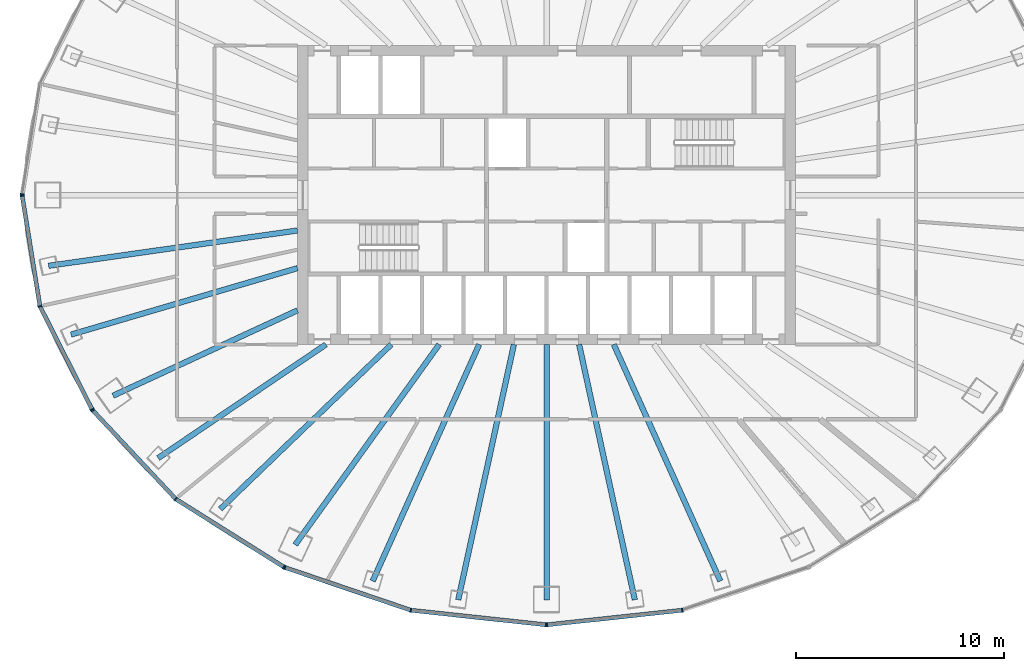
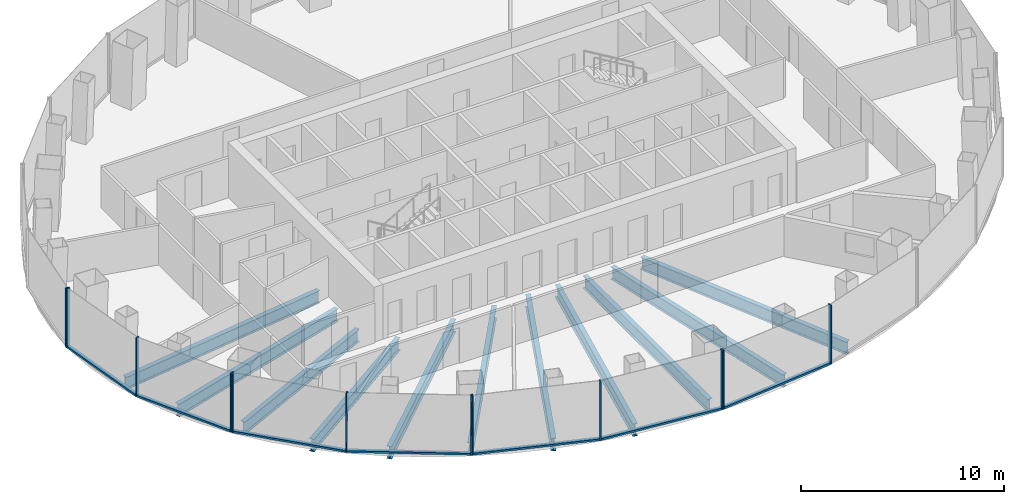
# One storey, part 2 of 11: 19 members, 11 beams, 5 elements without a shape of their own.
"""IFC4 building model written with IfcOpenShell, lengths in metres."""

from ifc_helpers import new_model, si_unit, direction, frame, origin, origin_2d, place, context, subcontext, project, spatial, rectangle, i_section, extrude, material, layer, layer_set, material_profile, profile_set, type_object, element, aggregate, save


model = new_model("IFC4")

# Units and contexts
model_context = context("Model", 3, precision=1e-05, world=origin(), true_north=direction((0.0, 1.0)))
body_context = subcontext(model_context, "Body", "Model", "MODEL_VIEW")
ifc_project = project(units=[si_unit("LENGTHUNIT", "METRE"), si_unit("AREAUNIT", "SQUARE_METRE"), si_unit("VOLUMEUNIT", "CUBIC_METRE"), si_unit("PLANEANGLEUNIT", "RADIAN"), si_unit("MASSUNIT", "GRAM", prefix="KILO")], contexts=[model_context])

# Site, building, storey
site_placement = place(None, origin())
site = spatial("IfcSite", under=ifc_project, at=site_placement, CompositionType="ELEMENT")
building_placement = place(site_placement, origin())
building = spatial("IfcBuilding", under=site, at=building_placement, Name="Siaravel Broadcast Tower", CompositionType="ELEMENT")
storey_placement = place(building_placement, frame((0.0, 0.0, 126.699951171875)))
storey = spatial("IfcBuildingStorey", under=building, at=storey_placement, Name="L30", CompositionType="ELEMENT", Elevation=126.699951171875)

# Beams
ifc_material_1 = material(Name="Steel S355", Category="steel")
ifc_material_profile_1 = material_profile(ifc_material_1, i_section(OverallWidth=0.26513671875, OverallDepth=0.75390625, WebThickness=0.0126953125, FlangeThickness=0.017578125, FilletRadius=0.0166015625, at=origin_2d()))
ifc_profile_set_1 = profile_set([ifc_material_profile_1], Name="Steel S355")
beam_type = type_object("IfcBeamType", Name="BM-UB 762x267x147", PredefinedType="BEAM", material=ifc_profile_set_1)
beam_1_placement = place(storey_placement, frame((-23.992919921875, -3.409912109375, -0.52685546875), z_axis=(0.990052421, 0.140698979, 0.0), x_axis=(-0.140698979, 0.990052421, 0.0)))
element("IfcBeam", 1, at=beam_1_placement, inside=storey, type_object=beam_type, Name="Radial beam RB20", PredefinedType="BEAM", context=body_context, shape_type="SweptSolid", body=[
    extrude(i_section(OverallWidth=0.26513671875, OverallDepth=0.75390625, WebThickness=0.0126953125, FlangeThickness=0.017578125, FilletRadius=0.0166015625, at=origin_2d()), origin(), (0.0, 0.0, 1.0), 12.113525390625),
])
beam_2_placement = place(storey_placement, frame((-22.908935546875, -6.722900390625, -0.52685546875), z_axis=(0.959534251, 0.28159194, 0.0), x_axis=(-0.28159194, 0.959534251, 0.0)))
element("IfcBeam", 2, at=beam_2_placement, inside=storey, type_object=beam_type, Name="Radial beam RB21", PredefinedType="BEAM", context=body_context, shape_type="SweptSolid", body=[
    extrude(i_section(OverallWidth=0.26513671875, OverallDepth=0.75390625, WebThickness=0.0126953125, FlangeThickness=0.017578125, FilletRadius=0.0166015625, at=origin_2d()), origin(), (0.0, 0.0, 1.0), 11.368896484375),
])
beam_3_placement = place(storey_placement, frame((-20.8876953125, -9.66943359375, -0.52685546875), z_axis=(0.907483098, 0.420088594, 0.0), x_axis=(-0.420088594, 0.907483098, 0.0)))
element("IfcBeam", 3, at=beam_3_placement, inside=storey, type_object=beam_type, Name="Radial beam RB22", PredefinedType="BEAM", context=body_context, shape_type="SweptSolid", body=[
    extrude(i_section(OverallWidth=0.26513671875, OverallDepth=0.75390625, WebThickness=0.0126953125, FlangeThickness=0.017578125, FilletRadius=0.0166015625, at=origin_2d()), origin(), (0.0, 0.0, 1.0), 9.793701171875),
])
beam_4_placement = place(storey_placement, frame((-18.712646484375, -12.673095703125, -0.52685546875), z_axis=(0.827987622, 0.560746375, 0.0), x_axis=(-0.560746375, 0.827987622, 0.0)))
element("IfcBeam", 4, at=beam_4_placement, inside=storey, type_object=beam_type, Name="Radial beam RB23", PredefinedType="BEAM", context=body_context, shape_type="SweptSolid", body=[
    extrude(i_section(OverallWidth=0.26513671875, OverallDepth=0.75390625, WebThickness=0.0126953125, FlangeThickness=0.017578125, FilletRadius=0.0166015625, at=origin_2d()), origin(), (0.0, 0.0, 1.0), 9.760498046875),
])
beam_5_placement = place(storey_placement, frame((-15.717529296875, -15.126220703125, -0.52685546875), z_axis=(0.720528871, 0.693424939, 0.0), x_axis=(-0.693424939, 0.720528871, 0.0)))
element("IfcBeam", 5, at=beam_5_placement, inside=storey, type_object=beam_type, Name="Radial beam RB24", PredefinedType="BEAM", context=body_context, shape_type="SweptSolid", body=[
    extrude(i_section(OverallWidth=0.26513671875, OverallDepth=0.75390625, WebThickness=0.0126953125, FlangeThickness=0.017578125, FilletRadius=0.0166015625, at=origin_2d()), origin(), (0.0, 0.0, 1.0), 11.4306640625),
])
beam_6_placement = place(storey_placement, frame((-12.1083984375, -16.851318359375, -0.52685546875), z_axis=(0.583519214, 0.812099333, 0.0), x_axis=(-0.812099333, 0.583519214, 0.0)))
element("IfcBeam", 6, at=beam_6_placement, inside=storey, type_object=beam_type, Name="Radial beam RB25", PredefinedType="BEAM", context=body_context, shape_type="SweptSolid", body=[
    extrude(i_section(OverallWidth=0.26513671875, OverallDepth=0.75390625, WebThickness=0.0126953125, FlangeThickness=0.017578125, FilletRadius=0.0166015625, at=origin_2d()), origin(), (0.0, 0.0, 1.0), 11.884521484375),
])
beam_7_placement = place(storey_placement, frame((-8.375732421875, -18.59716796875, -0.52685546875), z_axis=(0.410651337, 0.911792454, 0.0), x_axis=(-0.911792454, 0.410651337, 0.0)))
element("IfcBeam", 7, at=beam_7_placement, inside=storey, type_object=beam_type, Name="Radial beam RB26", PredefinedType="BEAM", context=body_context, shape_type="SweptSolid", body=[
    extrude(i_section(OverallWidth=0.26513671875, OverallDepth=0.75390625, WebThickness=0.0126953125, FlangeThickness=0.017578125, FilletRadius=0.0166015625, at=origin_2d()), origin(), (0.0, 0.0, 1.0), 12.499755859375),
])
beam_8_placement = place(storey_placement, frame((-4.254150390625, -19.501708984375, -0.52685546875), z_axis=(0.213134769, 0.97702281, 0.0), x_axis=(-0.97702281, 0.213134769, 0.0)))
element("IfcBeam", 8, at=beam_8_placement, inside=storey, type_object=beam_type, Name="Radial beam RB27", PredefinedType="BEAM", context=body_context, shape_type="SweptSolid", body=[
    extrude(i_section(OverallWidth=0.26513671875, OverallDepth=0.75390625, WebThickness=0.0126953125, FlangeThickness=0.017578125, FilletRadius=0.0166015625, at=origin_2d()), origin(), (0.0, 0.0, 1.0), 12.591064453125),
])
beam_9_placement = place(storey_placement, frame((0.0, -19.506591796875, -0.52685546875), z_axis=(0.0, 1.0, 0.0), x_axis=(-1.0, 0.0, 0.0)))
element("IfcBeam", 9, at=beam_9_placement, inside=storey, type_object=beam_type, Name="Radial beam RB28", PredefinedType="BEAM", context=body_context, shape_type="SweptSolid", body=[
    extrude(i_section(OverallWidth=0.26513671875, OverallDepth=0.75390625, WebThickness=0.0126953125, FlangeThickness=0.017578125, FilletRadius=0.0166015625, at=origin_2d()), origin(), (0.0, 0.0, 1.0), 12.306640625),
])
beam_10_placement = place(storey_placement, frame((4.254150390625, -19.501708984375, -0.52685546875), z_axis=(-0.213134769, 0.97702281, 0.0), x_axis=(-0.97702281, -0.213134769, 0.0)))
element("IfcBeam", 10, at=beam_10_placement, inside=storey, type_object=beam_type, Name="Radial beam RB29", PredefinedType="BEAM", context=body_context, shape_type="SweptSolid", body=[
    extrude(i_section(OverallWidth=0.26513671875, OverallDepth=0.75390625, WebThickness=0.0126953125, FlangeThickness=0.017578125, FilletRadius=0.0166015625, at=origin_2d()), origin(), (0.0, 0.0, 1.0), 12.591064453125),
])
beam_11_placement = place(storey_placement, frame((8.375732421875, -18.59716796875, -0.52685546875), z_axis=(-0.410651337, 0.911792454, 0.0), x_axis=(-0.911792454, -0.410651337, 0.0)))
element("IfcBeam", 11, at=beam_11_placement, inside=storey, type_object=beam_type, Name="Radial beam RB30", PredefinedType="BEAM", context=body_context, shape_type="SweptSolid", body=[
    extrude(i_section(OverallWidth=0.26513671875, OverallDepth=0.75390625, WebThickness=0.0126953125, FlangeThickness=0.017578125, FilletRadius=0.0166015625, at=origin_2d()), origin(), (0.0, 0.0, 1.0), 12.499755859375),
])

# Curtain wall, member
ifc_material_2 = material(Name="Aluminium 6063-T6", Category="aluminium")
ifc_layer = layer(ifc_material_2, 0.199951171875)
ifc_layer_set = layer_set([ifc_layer], Name="Aluminium 6063-T6")
curtain_wall_type = type_object("IfcCurtainWallType", Name="Unitised curtain wall, zone 2", PredefinedType="NOTDEFINED", material=ifc_layer_set)
curtain_wall_1_placement = place(storey_placement, origin())
curtain_wall_1 = element("IfcCurtainWall", 12, at=curtain_wall_1_placement, inside=storey, type_object=curtain_wall_type, Name="L30 Unitised curtain wall, zone 2 06", PredefinedType="NOTDEFINED")
ifc_material_profile_2 = material_profile(ifc_material_2, rectangle(XDim=0.199951171875, YDim=0.06494140625, at=origin_2d()))
ifc_profile_set_2 = profile_set([ifc_material_profile_2], Name="Aluminium 6063-T6")
member_type_1 = type_object("IfcMemberType", Name="CW-Z2 mullion", PredefinedType="MULLION", material=ifc_profile_set_2)
member_1_placement = place(storey_placement, frame((-25.265869140625, 0.031982421875, 0.0), z_axis=(0.0, 0.0, 1.0), x_axis=(0.987329163, -0.158685611, 0.0)))
member_1 = element("IfcMember", 13, at=member_1_placement, type_object=member_type_1, Name="CW-Z2 mullion 3", PredefinedType="MULLION", context=body_context, shape_type="SweptSolid", body=[
    extrude(rectangle(XDim=0.199951171875, YDim=0.06494140625, at=origin_2d()), origin(), (0.0, 0.0, 1.0), 3.550048828125),
])
aggregate(curtain_wall_1, [member_1])

# Curtain wall, members
curtain_wall_2_placement = place(storey_placement, origin())
curtain_wall_2 = element("IfcCurtainWall", 14, at=curtain_wall_2_placement, inside=storey, type_object=curtain_wall_type, Name="L30 Unitised curtain wall, zone 2 07", PredefinedType="NOTDEFINED")
member_2_placement = place(storey_placement, frame((-25.265869140625, -0.031982421875, 0.0), z_axis=(0.0, 0.0, 1.0), x_axis=(0.987329163, 0.158685611, 0.0)))
member_2 = element("IfcMember", 15, at=member_2_placement, type_object=member_type_1, Name="CW-Z2 mullion 1", PredefinedType="MULLION", context=body_context, shape_type="SweptSolid", body=[
    extrude(rectangle(XDim=0.199951171875, YDim=0.06494140625, at=origin_2d()), origin(), (0.0, 0.0, 1.0), 3.550048828125),
])
member_3_placement = place(storey_placement, frame((-24.4091796875, -5.362548828125, 0.0), z_axis=(0.0, 0.0, 1.0), x_axis=(0.951177162, 0.308645439, 0.0)))
member_3 = element("IfcMember", 16, at=member_3_placement, type_object=member_type_1, Name="CW-Z2 mullion 2", PredefinedType="MULLION", context=body_context, shape_type="SweptSolid", body=[
    extrude(rectangle(XDim=0.199951171875, YDim=0.06494140625, at=origin_2d()), origin(), (0.0, 0.0, 1.0), 3.550048828125),
])
member_4_placement = place(storey_placement, frame((-21.897705078125, -10.329345703125, 0.0), z_axis=(0.0, 0.0, 1.0), x_axis=(0.892391979, 0.451261073, 0.0)))
member_4 = element("IfcMember", 17, at=member_4_placement, type_object=member_type_1, Name="CW-Z2 mullion 3", PredefinedType="MULLION", context=body_context, shape_type="SweptSolid", body=[
    extrude(rectangle(XDim=0.199951171875, YDim=0.06494140625, at=origin_2d()), origin(), (0.0, 0.0, 1.0), 3.550048828125),
])

curtain_wall_3_placement = place(storey_placement, origin())
curtain_wall_3 = element("IfcCurtainWall", 18, at=curtain_wall_3_placement, inside=storey, type_object=curtain_wall_type, Name="L30 Unitised curtain wall, zone 2 08", PredefinedType="NOTDEFINED")
member_5_placement = place(storey_placement, frame((-21.86083984375, -10.382080078125, 0.0), z_axis=(0.0, 0.0, 1.0), x_axis=(0.729805105, 0.683655256, 0.0)))
member_5 = element("IfcMember", 19, at=member_5_placement, type_object=member_type_1, Name="CW-Z2 mullion 1", PredefinedType="MULLION", context=body_context, shape_type="SweptSolid", body=[
    extrude(rectangle(XDim=0.199951171875, YDim=0.06494140625, at=origin_2d()), origin(), (0.0, 0.0, 1.0), 3.550048828125),
])
member_6_placement = place(storey_placement, frame((-17.86572265625, -14.646728515625, 0.0), z_axis=(0.0, 0.0, 1.0), x_axis=(0.636218518, 0.771508909, 0.0)))
member_6 = element("IfcMember", 20, at=member_6_placement, type_object=member_type_1, Name="CW-Z2 mullion 2", PredefinedType="MULLION", context=body_context, shape_type="SweptSolid", body=[
    extrude(rectangle(XDim=0.199951171875, YDim=0.06494140625, at=origin_2d()), origin(), (0.0, 0.0, 1.0), 3.550048828125),
])
member_7_placement = place(storey_placement, frame((-12.659423828125, -17.9189453125, 0.0), z_axis=(0.0, 0.0, 1.0), x_axis=(0.532149141, 0.846650632, 0.0)))
member_7 = element("IfcMember", 21, at=member_7_placement, type_object=member_type_1, Name="CW-Z2 mullion 3", PredefinedType="MULLION", context=body_context, shape_type="SweptSolid", body=[
    extrude(rectangle(XDim=0.199951171875, YDim=0.06494140625, at=origin_2d()), origin(), (0.0, 0.0, 1.0), 3.550048828125),
])

curtain_wall_4_placement = place(storey_placement, origin())
curtain_wall_4 = element("IfcCurtainWall", 22, at=curtain_wall_4_placement, inside=storey, type_object=curtain_wall_type, Name="L30 Unitised curtain wall, zone 2 09", PredefinedType="NOTDEFINED")
member_8_placement = place(storey_placement, frame((-12.60107421875, -17.94677734375, 0.0), z_axis=(0.0, 0.0, 1.0), x_axis=(0.321300596, 0.946977258, 0.0)))
member_8 = element("IfcMember", 23, at=member_8_placement, type_object=member_type_1, Name="CW-Z2 mullion 1", PredefinedType="MULLION", context=body_context, shape_type="SweptSolid", body=[
    extrude(rectangle(XDim=0.199951171875, YDim=0.06494140625, at=origin_2d()), origin(), (0.0, 0.0, 1.0), 3.550048828125),
])
member_9_placement = place(storey_placement, frame((-6.538330078125, -20.00390625, 0.0), z_axis=(0.0, 0.0, 1.0), x_axis=(0.215558052, 0.976491027, 0.0)))
member_9 = element("IfcMember", 24, at=member_9_placement, type_object=member_type_1, Name="CW-Z2 mullion 2", PredefinedType="MULLION", context=body_context, shape_type="SweptSolid", body=[
    extrude(rectangle(XDim=0.199951171875, YDim=0.06494140625, at=origin_2d()), origin(), (0.0, 0.0, 1.0), 3.550048828125),
])
member_10_placement = place(storey_placement, frame((-0.0322265625, -20.705322265625, 0.0), z_axis=(0.0, 0.0, 1.0), x_axis=(0.107217485, 0.994235591, 0.0)))
member_10 = element("IfcMember", 25, at=member_10_placement, type_object=member_type_1, Name="CW-Z2 mullion 3", PredefinedType="MULLION", context=body_context, shape_type="SweptSolid", body=[
    extrude(rectangle(XDim=0.199951171875, YDim=0.06494140625, at=origin_2d()), origin(), (0.0, 0.0, 1.0), 3.550048828125),
])

curtain_wall_5_placement = place(storey_placement, origin())
curtain_wall_5 = element("IfcCurtainWall", 26, at=curtain_wall_5_placement, inside=storey, type_object=curtain_wall_type, Name="L30 Unitised curtain wall, zone 2 10", PredefinedType="NOTDEFINED")
member_11_placement = place(storey_placement, frame((0.0322265625, -20.705322265625, 0.0), z_axis=(0.0, 0.0, 1.0), x_axis=(-0.107217485, 0.994235591, 0.0)))
member_11 = element("IfcMember", 27, at=member_11_placement, type_object=member_type_1, Name="CW-Z2 mullion 1", PredefinedType="MULLION", context=body_context, shape_type="SweptSolid", body=[
    extrude(rectangle(XDim=0.199951171875, YDim=0.06494140625, at=origin_2d()), origin(), (0.0, 0.0, 1.0), 3.550048828125),
])
member_12_placement = place(storey_placement, frame((6.538330078125, -20.00390625, 0.0), z_axis=(0.0, 0.0, 1.0), x_axis=(-0.215558052, 0.976491027, 0.0)))
member_12 = element("IfcMember", 28, at=member_12_placement, type_object=member_type_1, Name="CW-Z2 mullion 2", PredefinedType="MULLION", context=body_context, shape_type="SweptSolid", body=[
    extrude(rectangle(XDim=0.199951171875, YDim=0.06494140625, at=origin_2d()), origin(), (0.0, 0.0, 1.0), 3.550048828125),
])

# Member
ifc_material_profile_3 = material_profile(ifc_material_2, rectangle(XDim=0.199951171875, YDim=0.110107421875, at=origin_2d()))
ifc_profile_set_3 = profile_set([ifc_material_profile_3], Name="Aluminium 6063-T6")
member_type_2 = type_object("IfcMemberType", Name="CW-Z2 transom", PredefinedType="USERDEFINED", material=ifc_profile_set_3)
member_13_placement = place(storey_placement, frame((-25.2607421875, -0.064208984375, 0.054931640625), z_axis=(0.158695625, -0.987327554, 0.0), x_axis=(0.987327554, 0.158695625, 0.0)))
member_13 = element("IfcMember", 29, at=member_13_placement, type_object=member_type_2, Name="CW-Z2 transom 1", ObjectType="TRANSOM", PredefinedType="USERDEFINED", context=body_context, shape_type="SweptSolid", body=[
    extrude(rectangle(XDim=0.199951171875, YDim=0.110107421875, at=origin_2d()), origin(), (0.0, 0.0, 1.0), 5.333740234375),
])

member_14_placement = place(storey_placement, frame((-24.39453125, -5.3916015625, 0.054931640625), z_axis=(0.451256879, -0.8923941, 0.0), x_axis=(0.8923941, 0.451256879, 0.0)))
member_14 = element("IfcMember", 30, at=member_14_placement, type_object=member_type_2, Name="CW-Z2 transom 2", ObjectType="TRANSOM", PredefinedType="USERDEFINED", context=body_context, shape_type="SweptSolid", body=[
    extrude(rectangle(XDim=0.199951171875, YDim=0.110107421875, at=origin_2d()), origin(), (0.0, 0.0, 1.0), 5.50048828125),
])

aggregate(curtain_wall_2, [member_2, member_3, member_4, member_13, member_14])

member_15_placement = place(storey_placement, frame((-21.83837890625, -10.40576171875, 0.054931640625), z_axis=(0.683640317, -0.729819099, 0.0), x_axis=(0.729819099, 0.683640317, 0.0)))
member_15 = element("IfcMember", 31, at=member_15_placement, type_object=member_type_2, Name="CW-Z2 transom 1", ObjectType="TRANSOM", PredefinedType="USERDEFINED", context=body_context, shape_type="SweptSolid", body=[
    extrude(rectangle(XDim=0.199951171875, YDim=0.110107421875, at=origin_2d()), origin(), (0.0, 0.0, 1.0), 5.778564453125),
])

member_16_placement = place(storey_placement, frame((-17.838134765625, -14.6640625, 0.054931640625), z_axis=(0.846658761, -0.532136207, 0.0), x_axis=(0.532136207, 0.846658761, 0.0)))
member_16 = element("IfcMember", 32, at=member_16_placement, type_object=member_type_2, Name="CW-Z2 transom 2", ObjectType="TRANSOM", PredefinedType="USERDEFINED", context=body_context, shape_type="SweptSolid", body=[
    extrude(rectangle(XDim=0.199951171875, YDim=0.110107421875, at=origin_2d()), origin(), (0.0, 0.0, 1.0), 6.083984375),
])

aggregate(curtain_wall_3, [member_5, member_6, member_7, member_15, member_16])

member_17_placement = place(storey_placement, frame((-12.5703125, -17.957275390625, 0.054931640625), z_axis=(0.946978491, -0.321296962, 0.0), x_axis=(0.321296962, 0.946978491, 0.0)))
member_17 = element("IfcMember", 33, at=member_17_placement, type_object=member_type_2, Name="CW-Z2 transom 1", ObjectType="TRANSOM", PredefinedType="USERDEFINED", context=body_context, shape_type="SweptSolid", body=[
    extrude(rectangle(XDim=0.199951171875, YDim=0.110107421875, at=origin_2d()), origin(), (0.0, 0.0, 1.0), 6.337158203125),
])

member_18_placement = place(storey_placement, frame((-6.506103515625, -20.00732421875, 0.054931640625), z_axis=(0.994236504, -0.107209023, 0.0), x_axis=(0.107209023, 0.994236504, 0.0)))
member_18 = element("IfcMember", 34, at=member_18_placement, type_object=member_type_2, Name="CW-Z2 transom 2", ObjectType="TRANSOM", PredefinedType="USERDEFINED", context=body_context, shape_type="SweptSolid", body=[
    extrude(rectangle(XDim=0.199951171875, YDim=0.110107421875, at=origin_2d()), origin(), (0.0, 0.0, 1.0), 6.478759765625),
])

aggregate(curtain_wall_4, [member_8, member_9, member_10, member_17, member_18])

member_19_placement = place(storey_placement, frame((0.064697265625, -20.701904296875, 0.054931640625), z_axis=(0.994236504, 0.107209023, 0.0), x_axis=(-0.107209023, 0.994236504, 0.0)))
member_19 = element("IfcMember", 35, at=member_19_placement, type_object=member_type_2, Name="CW-Z2 transom 1", ObjectType="TRANSOM", PredefinedType="USERDEFINED", context=body_context, shape_type="SweptSolid", body=[
    extrude(rectangle(XDim=0.199951171875, YDim=0.110107421875, at=origin_2d()), origin(), (0.0, 0.0, 1.0), 6.478759765625),
])

aggregate(curtain_wall_5, [member_11, member_12, member_19])

save(model, "model.ifc")
